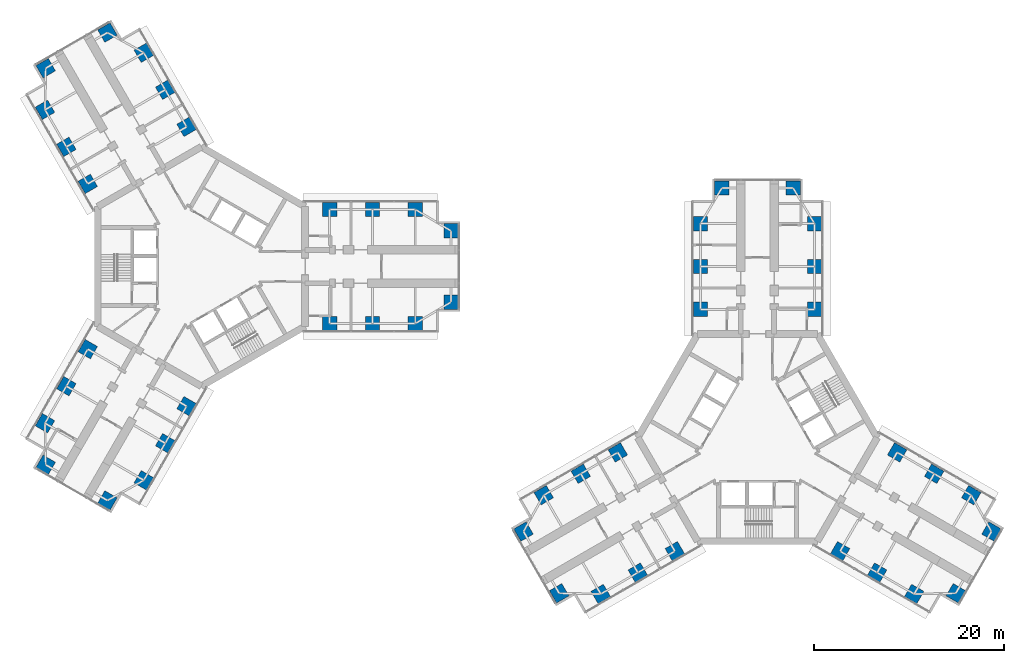
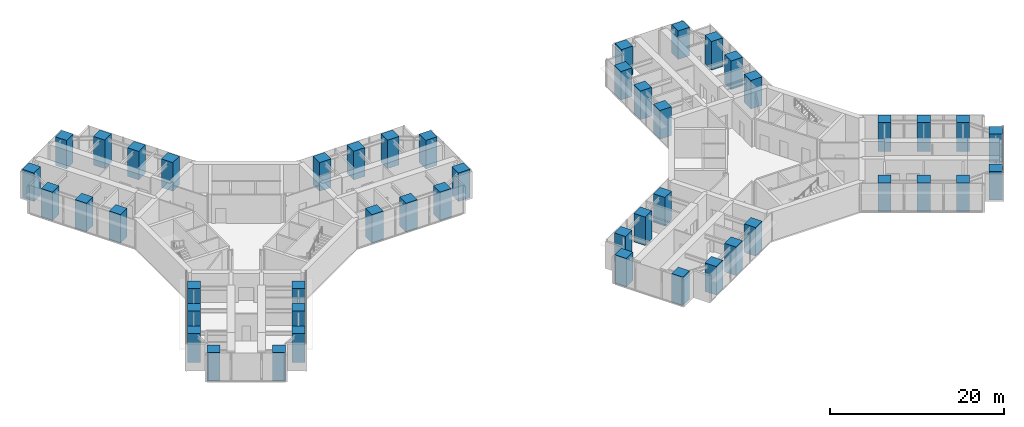
# One storey, part 1 of 23: 48 columns.
"""IFC4 building model written with IfcOpenShell, lengths in metres."""

from ifc_helpers import new_model, si_unit, direction, frame, origin, origin_2d, place, context, subcontext, project, spatial, rectangle, extrude, material, material_profile, profile_set, type_object, element, save


model = new_model("IFC4")

# Units and contexts
model_context = context("Model", 3, precision=1e-05, world=origin(), true_north=direction((0.0, 1.0)))
body_context = subcontext(model_context, "Body", "Model", "MODEL_VIEW")
ifc_project = project(units=[si_unit("LENGTHUNIT", "METRE"), si_unit("AREAUNIT", "SQUARE_METRE"), si_unit("VOLUMEUNIT", "CUBIC_METRE"), si_unit("PLANEANGLEUNIT", "RADIAN"), si_unit("MASSUNIT", "GRAM", prefix="KILO")], contexts=[model_context])

# Site, building, storey
site_placement = place(None, origin())
site = spatial("IfcSite", under=ifc_project, at=site_placement, CompositionType="ELEMENT")
building_placement = place(site_placement, origin())
building = spatial("IfcBuilding", under=site, at=building_placement, Name="Upepo Twin Towers", CompositionType="ELEMENT")
storey_placement = place(building_placement, frame((0.0, 0.0, 32.5)))
storey = spatial("IfcBuildingStorey", under=building, at=storey_placement, Name="L07", CompositionType="ELEMENT", Elevation=32.5)

# Columns
ifc_material = material(Name="Concrete C60/75", Category="concrete")
ifc_material_profile = material_profile(ifc_material, rectangle(XDim=1.5, YDim=1.5, at=origin_2d()), Name="RC 1500x1500")
ifc_profile_set = profile_set([ifc_material_profile], Name="Concrete C60/75")
column_type = type_object("IfcColumnType", Name="Tower column RC 1500x1500", PredefinedType="COLUMN", material=ifc_profile_set)
for number, where, z_axis, x_axis, name in (
    (1, (13.5, 6.0, 0.0), (0.0, 0.0, 1.0), (1.0, 0.0, 0.0), "T1 column AL135"),
    (2, (13.5, -6.0, 0.0), (0.0, 0.0, 1.0), (1.0, 0.0, 0.0), "T1 column AR135"),
    (3, (18.0, 6.0, 0.0), (0.0, 0.0, 1.0), (1.0, 0.0, 0.0), "T1 column AL180"),
    (4, (18.0, -6.0, 0.0), (0.0, 0.0, 1.0), (1.0, 0.0, 0.0), "T1 column AR180"),
    (5, (22.5, 6.0, 0.0), (0.0, 0.0, 1.0), (1.0, 0.0, 0.0), "T1 column AL225"),
    (6, (22.5, -6.0, 0.0), (0.0, 0.0, 1.0), (1.0, 0.0, 0.0), "T1 column AR225"),
    (7, (26.25, 3.75, 0.0), (0.0, 0.0, 1.0), (1.0, 0.0, 0.0), "T1 column ALN"),
    (8, (26.25, -3.75, 0.0), (0.0, 0.0, 1.0), (1.0, 0.0, 0.0), "T1 column ARN"),
    (9, (-11.946044921875, 8.69140625, 0.0), (0.0, 0.0, 1.0), (0.866025403784, 0.5, 0.0), "T1 column BL135"),
    (10, (-1.553955078125, 14.69140625, 0.0), (0.0, 0.0, 1.0), (0.866025403784, 0.5, 0.0), "T1 column BR135"),
    (11, (-14.196044921875, 12.58837890625, 0.0), (0.0, 0.0, 1.0), (0.866025403784, 0.5, 0.0), "T1 column BL180"),
    (12, (-3.803955078125, 18.58837890625, 0.0), (0.0, 0.0, 1.0), (0.866025403784, 0.5, 0.0), "T1 column BR180"),
    (13, (-16.446044921875, 16.485595703125, 0.0), (0.0, 0.0, 1.0), (0.866025403784, 0.5, 0.0), "T1 column BL225"),
    (14, (-6.053955078125, 22.485595703125, 0.0), (0.0, 0.0, 1.0), (0.866025403784, 0.5, 0.0), "T1 column BR225"),
    (15, (-16.37255859375, 20.858154296875, 0.0), (0.0, 0.0, 1.0), (0.866025403784, 0.5, 0.0), "T1 column BLN"),
    (16, (-9.87744140625, 24.608154296875, 0.0), (0.0, 0.0, 1.0), (0.866025403784, 0.5, 0.0), "T1 column BRN"),
    (17, (-1.553955078125, -14.69140625, 0.0), (0.0, 0.0, 1.0), (0.5, 0.866025403784, 0.0), "T1 column CL135"),
    (18, (-11.946044921875, -8.69140625, 0.0), (0.0, 0.0, 1.0), (0.5, 0.866025403784, 0.0), "T1 column CR135"),
    (19, (-3.803955078125, -18.58837890625, 0.0), (0.0, 0.0, 1.0), (0.5, 0.866025403784, 0.0), "T1 column CL180"),
    (20, (-14.196044921875, -12.58837890625, 0.0), (0.0, 0.0, 1.0), (0.5, 0.866025403784, 0.0), "T1 column CR180"),
    (21, (-6.053955078125, -22.485595703125, 0.0), (0.0, 0.0, 1.0), (0.5, 0.866025403784, 0.0), "T1 column CL225"),
    (22, (-16.446044921875, -16.485595703125, 0.0), (0.0, 0.0, 1.0), (0.5, 0.866025403784, 0.0), "T1 column CR225"),
    (23, (-9.87744140625, -24.608154296875, 0.0), (0.0, 0.0, 1.0), (0.5, 0.866025403784, 0.0), "T1 column CLN"),
    (24, (-16.37255859375, -20.858154296875, 0.0), (0.0, 0.0, 1.0), (0.5, 0.866025403784, 0.0), "T1 column CRN"),
    (25, (52.5, -4.5, 0.0), (0.0, 0.0, 1.0), (1.0, 0.0, 0.0), "T2 column AL135"),
    (26, (64.5, -4.5, 0.0), (0.0, 0.0, 1.0), (1.0, 0.0, 0.0), "T2 column AR135"),
    (27, (52.5, 0.0, 0.0), (0.0, 0.0, 1.0), (1.0, 0.0, 0.0), "T2 column AL180"),
    (28, (64.5, 0.0, 0.0), (0.0, 0.0, 1.0), (1.0, 0.0, 0.0), "T2 column AR180"),
    (29, (52.5, 4.5, 0.0), (0.0, 0.0, 1.0), (1.0, 0.0, 0.0), "T2 column AL225"),
    (30, (64.5, 4.5, 0.0), (0.0, 0.0, 1.0), (1.0, 0.0, 0.0), "T2 column AR225"),
    (31, (54.75, 8.25, 0.0), (0.0, 0.0, 1.0), (1.0, 0.0, 0.0), "T2 column ALN"),
    (32, (62.25, 8.25, 0.0), (0.0, 0.0, 1.0), (1.0, 0.0, 0.0), "T2 column ARN"),
    (33, (49.80859375, -29.946044921875, 0.0), (0.0, 0.0, 1.0), (0.866025403784, 0.5, 0.0), "T2 column BL135"),
    (34, (43.80859375, -19.553955078125, 0.0), (0.0, 0.0, 1.0), (0.866025403784, 0.5, 0.0), "T2 column BR135"),
    (35, (45.91162109375, -32.196044921875, 0.0), (0.0, 0.0, 1.0), (0.866025403784, 0.5, 0.0), "T2 column BL180"),
    (36, (39.91162109375, -21.803955078125, 0.0), (0.0, 0.0, 1.0), (0.866025403784, 0.5, 0.0), "T2 column BR180"),
    (37, (42.014404296875, -34.446044921875, 0.0), (0.0, 0.0, 1.0), (0.866025403784, 0.5, 0.0), "T2 column BL225"),
    (38, (36.014404296875, -24.053955078125, 0.0), (0.0, 0.0, 1.0), (0.866025403784, 0.5, 0.0), "T2 column BR225"),
    (39, (37.641845703125, -34.37255859375, 0.0), (0.0, 0.0, 1.0), (0.866025403784, 0.5, 0.0), "T2 column BLN"),
    (40, (33.891845703125, -27.87744140625, 0.0), (0.0, 0.0, 1.0), (0.866025403784, 0.5, 0.0), "T2 column BRN"),
    (41, (73.19140625, -19.553955078125, 0.0), (0.0, 0.0, 1.0), (0.5, 0.866025403784, 0.0), "T2 column CL135"),
    (42, (67.19140625, -29.946044921875, 0.0), (0.0, 0.0, 1.0), (0.5, 0.866025403784, 0.0), "T2 column CR135"),
    (43, (77.08837890625, -21.803955078125, 0.0), (0.0, 0.0, 1.0), (0.5, 0.866025403784, 0.0), "T2 column CL180"),
    (44, (71.08837890625, -32.196044921875, 0.0), (0.0, 0.0, 1.0), (0.5, 0.866025403784, 0.0), "T2 column CR180"),
    (45, (80.985595703125, -24.053955078125, 0.0), (0.0, 0.0, 1.0), (0.5, 0.866025403784, 0.0), "T2 column CL225"),
    (46, (74.985595703125, -34.446044921875, 0.0), (0.0, 0.0, 1.0), (0.5, 0.866025403784, 0.0), "T2 column CR225"),
    (47, (83.108154296875, -27.87744140625, 0.0), (0.0, 0.0, 1.0), (0.5, 0.866025403784, 0.0), "T2 column CLN"),
    (48, (79.358154296875, -34.37255859375, 0.0), (0.0, 0.0, 1.0), (0.5, 0.866025403784, 0.0), "T2 column CRN"),
):
    element("IfcColumn", number, at=place(storey_placement, frame(where, z_axis=z_axis, x_axis=x_axis)), inside=storey, type_object=column_type, Name=name, PredefinedType="COLUMN", context=body_context, shape_type="SweptSolid", body=[
        extrude(rectangle(XDim=1.5, YDim=1.5, at=origin_2d()), origin(), (0.0, 0.0, 1.0), 4.0),
    ])

save(model, "model.ifc")
